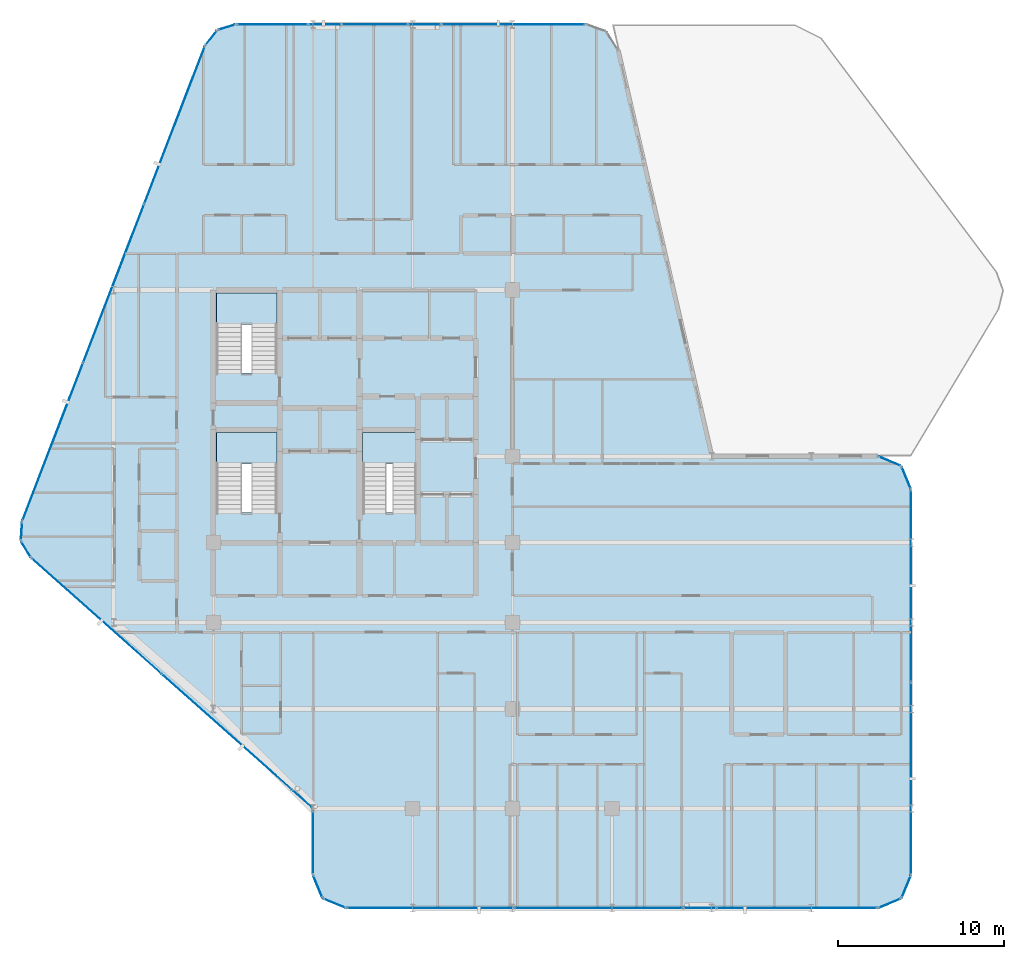
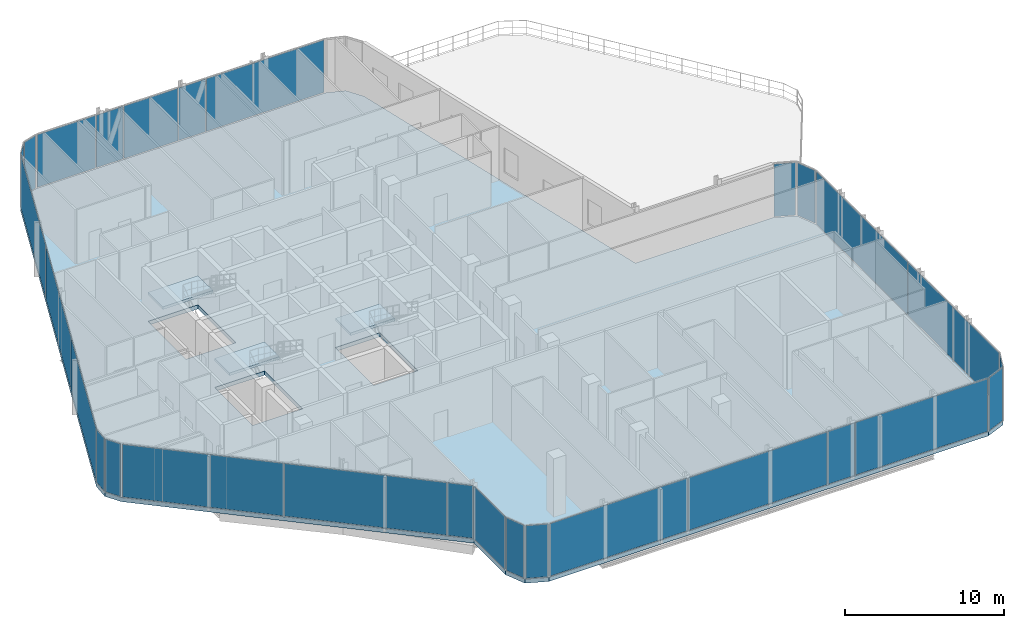
# One storey, part 19 of 28: 28 plates, 4 slabs, 26 elements without a shape of their own.
"""IFC4 building model written with IfcOpenShell, lengths in metres."""

from ifc_helpers import new_model, si_unit, direction, frame, origin, origin_2d, place, context, subcontext, project, spatial, polyline, rectangle, outline, extrude, material, layer, layer_set, type_object, element, aggregate, save


model = new_model("IFC4")

# Units and contexts
model_context = context("Model", 3, precision=1e-05, world=origin(), true_north=direction((0.0, 1.0)))
body_context = subcontext(model_context, "Body", "Model", "MODEL_VIEW")
ifc_project = project(units=[si_unit("LENGTHUNIT", "METRE"), si_unit("AREAUNIT", "SQUARE_METRE"), si_unit("VOLUMEUNIT", "CUBIC_METRE"), si_unit("PLANEANGLEUNIT", "RADIAN"), si_unit("MASSUNIT", "GRAM", prefix="KILO")], contexts=[model_context])

# Site, building, storey
site_placement = place(None, origin())
site = spatial("IfcSite", under=ifc_project, at=site_placement, CompositionType="ELEMENT")
building_placement = place(site_placement, origin())
building = spatial("IfcBuilding", under=site, at=building_placement, Name="Keshet Zoharim Tower", CompositionType="ELEMENT")
storey_placement = place(building_placement, frame((0.0, 0.0, 164.60009765625)))
storey = spatial("IfcBuildingStorey", under=building, at=storey_placement, Name="L40", CompositionType="ELEMENT", Elevation=164.60009765625)

# Curtain wall, plate
ifc_material_1 = material(Name="Aluminium 6063-T6", Category="aluminium")
ifc_layer_1 = layer(ifc_material_1, 0.139892578125)
ifc_layer_set_1 = layer_set([ifc_layer_1], Name="Aluminium 6063-T6")
curtain_wall_type = type_object("IfcCurtainWallType", Name="CW-SYS-05", PredefinedType="NOTDEFINED", material=ifc_layer_set_1)
curtain_wall_1_placement = place(storey_placement, origin())
curtain_wall_1 = element("IfcCurtainWall", 1, at=curtain_wall_1_placement, inside=storey, type_object=curtain_wall_type, Name="L40 Unitised Curtain Wall 01", PredefinedType="NOTDEFINED")
ifc_material_2 = material(Name="Insulated Low-E Clear Glass", Category="glass")
ifc_layer_2 = layer(ifc_material_2, 0.031982421875)
ifc_layer_set_2 = layer_set([ifc_layer_2], Name="Insulated Low-E Clear Glass")
plate_type_1 = type_object("IfcPlateType", Name="CWP-02", PredefinedType="CURTAIN_PANEL", material=ifc_layer_set_2)
plate_1_placement = place(storey_placement, frame((55.70703125, 27.60693359375, 0.06982421875), z_axis=(0.0, 0.0, 1.0), x_axis=(0.92380975372, -0.382851849847, 0.0)))
plate_1 = element("IfcPlate", 2, at=plate_1_placement, type_object=plate_type_1, Name="CW-05 panel 1.1", PredefinedType="CURTAIN_PANEL", context=body_context, shape_type="SweptSolid", body=[
    extrude(rectangle(XDim=1.390625, YDim=0.031982421875, at=origin_2d()), origin(), (0.0, 0.0, 1.0), 4.050048828125),
])
aggregate(curtain_wall_1, [plate_1])

curtain_wall_2_placement = place(storey_placement, origin())
curtain_wall_2 = element("IfcCurtainWall", 3, at=curtain_wall_2_placement, inside=storey, type_object=curtain_wall_type, Name="L40 Unitised Curtain Wall 02", PredefinedType="NOTDEFINED")
plate_2_placement = place(storey_placement, frame((56.70703125, 26.60693359375, 0.06982421875), z_axis=(0.0, 0.0, 1.0), x_axis=(0.382851849847, -0.92380975372, 0.0)))
plate_2 = element("IfcPlate", 4, at=plate_2_placement, type_object=plate_type_1, Name="CW-05 panel 1.1", PredefinedType="CURTAIN_PANEL", context=body_context, shape_type="SweptSolid", body=[
    extrude(rectangle(XDim=1.390625, YDim=0.031982421875, at=origin_2d()), origin(), (0.0, 0.0, 1.0), 4.050048828125),
])
aggregate(curtain_wall_2, [plate_2])

# Curtain wall, plates
curtain_wall_3_placement = place(storey_placement, origin())
curtain_wall_3 = element("IfcCurtainWall", 5, at=curtain_wall_3_placement, inside=storey, type_object=curtain_wall_type, Name="L40 Unitised Curtain Wall 03", PredefinedType="NOTDEFINED")
plate_3_placement = place(storey_placement, frame((57.0, 20.08251953125, 0.06982421875), z_axis=(0.0, 0.0, 1.0), x_axis=(0.0, -1.0, 0.0)))
plate_3 = element("IfcPlate", 6, at=plate_3_placement, type_object=plate_type_1, Name="CW-05 panel 1.1", PredefinedType="CURTAIN_PANEL", context=body_context, shape_type="SweptSolid", body=[
    extrude(rectangle(XDim=11.4951171875, YDim=0.031982421875, at=origin_2d()), origin(), (0.0, 0.0, 1.0), 4.050048828125),
])
plate_4_placement = place(storey_placement, frame((57.0, 8.517578125, 0.06982421875), z_axis=(0.0, 0.0, 1.0), x_axis=(0.0, -1.0, 0.0)))
plate_4 = element("IfcPlate", 7, at=plate_4_placement, type_object=plate_type_1, Name="CW-05 panel 2.1", PredefinedType="CURTAIN_PANEL", context=body_context, shape_type="SweptSolid", body=[
    extrude(rectangle(XDim=11.4951171875, YDim=0.031982421875, at=origin_2d()), origin(), (0.0, 0.0, 1.0), 4.050048828125),
])
aggregate(curtain_wall_3, [plate_3, plate_4])

# Curtain wall, plate
curtain_wall_4_placement = place(storey_placement, origin())
curtain_wall_4 = element("IfcCurtainWall", 8, at=curtain_wall_4_placement, inside=storey, type_object=curtain_wall_type, Name="L40 Unitised Curtain Wall 04", PredefinedType="NOTDEFINED")
plate_5_placement = place(storey_placement, frame((56.70703125, 1.992919921875, 0.06982421875), z_axis=(0.0, 0.0, 1.0), x_axis=(-0.382851849847, -0.92380975372, 0.0)))
plate_5 = element("IfcPlate", 9, at=plate_5_placement, type_object=plate_type_1, Name="CW-05 panel 1.1", PredefinedType="CURTAIN_PANEL", context=body_context, shape_type="SweptSolid", body=[
    extrude(rectangle(XDim=1.390625, YDim=0.031982421875, at=origin_2d()), origin(), (0.0, 0.0, 1.0), 4.050048828125),
])
aggregate(curtain_wall_4, [plate_5])

curtain_wall_5_placement = place(storey_placement, origin())
curtain_wall_5 = element("IfcCurtainWall", 10, at=curtain_wall_5_placement, inside=storey, type_object=curtain_wall_type, Name="L40 Unitised Curtain Wall 05", PredefinedType="NOTDEFINED")
plate_6_placement = place(storey_placement, frame((55.70703125, 0.992919921875, 0.06982421875), z_axis=(0.0, 0.0, 1.0), x_axis=(-0.92380975372, -0.382851849847, 0.0)))
plate_6 = element("IfcPlate", 11, at=plate_6_placement, type_object=plate_type_1, Name="CW-05 panel 1.1", PredefinedType="CURTAIN_PANEL", context=body_context, shape_type="SweptSolid", body=[
    extrude(rectangle(XDim=1.390625, YDim=0.031982421875, at=origin_2d()), origin(), (0.0, 0.0, 1.0), 4.050048828125),
])
aggregate(curtain_wall_5, [plate_6])

curtain_wall_6_placement = place(storey_placement, origin())
curtain_wall_6 = element("IfcCurtainWall", 12, at=curtain_wall_6_placement, inside=storey, type_object=curtain_wall_type, Name="L40 Unitised Curtain Wall 06", PredefinedType="NOTDEFINED")
plate_7_placement = place(storey_placement, frame((50.126220703125, 0.699951171875, 0.06982421875), z_axis=(0.0, 0.0, 1.0), x_axis=(-1.0, 0.0, 0.0)))
plate_7 = element("IfcPlate", 13, at=plate_7_placement, type_object=plate_type_1, Name="CW-05 panel 1.1", PredefinedType="CURTAIN_PANEL", context=body_context, shape_type="SweptSolid", body=[
    extrude(rectangle(XDim=9.607421875, YDim=0.031982421875, at=origin_2d()), origin(), (0.0, 0.0, 1.0), 4.050048828125),
])
aggregate(curtain_wall_6, [plate_7])

# Curtain wall, plates
curtain_wall_7_placement = place(storey_placement, origin())
curtain_wall_7 = element("IfcCurtainWall", 14, at=curtain_wall_7_placement, inside=storey, type_object=curtain_wall_type, Name="L40 Unitised Curtain Wall 06 Part 3", PredefinedType="NOTDEFINED")
plate_8_placement = place(storey_placement, frame((38.203125, 0.699951171875, 0.06982421875), z_axis=(0.0, 0.0, 1.0), x_axis=(-1.0, 0.0, 0.0)))
plate_8 = element("IfcPlate", 15, at=plate_8_placement, type_object=plate_type_1, Name="CW-05 panel 1.1", PredefinedType="CURTAIN_PANEL", context=body_context, shape_type="SweptSolid", body=[
    extrude(rectangle(XDim=10.0888671875, YDim=0.031982421875, at=origin_2d()), origin(), (0.0, 0.0, 1.0), 4.050048828125),
])
plate_9_placement = place(storey_placement, frame((28.079345703125, 0.699951171875, 0.06982421875), z_axis=(0.0, 0.0, 1.0), x_axis=(-1.0, 0.0, 0.0)))
plate_9 = element("IfcPlate", 16, at=plate_9_placement, type_object=plate_type_1, Name="CW-05 panel 2.1", PredefinedType="CURTAIN_PANEL", context=body_context, shape_type="SweptSolid", body=[
    extrude(rectangle(XDim=10.018798828125, YDim=0.031982421875, at=origin_2d()), origin(), (0.0, 0.0, 1.0), 4.050048828125),
])
aggregate(curtain_wall_7, [plate_8, plate_9])

# Curtain wall, plate
curtain_wall_8_placement = place(storey_placement, origin())
curtain_wall_8 = element("IfcCurtainWall", 17, at=curtain_wall_8_placement, inside=storey, type_object=curtain_wall_type, Name="L40 Unitised Curtain Wall 07", PredefinedType="NOTDEFINED")
plate_10_placement = place(storey_placement, frame((22.29296875, 0.992919921875, 0.06982421875), z_axis=(0.0, 0.0, 1.0), x_axis=(-0.92380975372, 0.382851849847, 0.0)))
plate_10 = element("IfcPlate", 18, at=plate_10_placement, type_object=plate_type_1, Name="CW-05 panel 1.1", PredefinedType="CURTAIN_PANEL", context=body_context, shape_type="SweptSolid", body=[
    extrude(rectangle(XDim=1.390625, YDim=0.031982421875, at=origin_2d()), origin(), (0.0, 0.0, 1.0), 4.050048828125),
])
aggregate(curtain_wall_8, [plate_10])

curtain_wall_9_placement = place(storey_placement, origin())
curtain_wall_9 = element("IfcCurtainWall", 19, at=curtain_wall_9_placement, inside=storey, type_object=curtain_wall_type, Name="L40 Unitised Curtain Wall 08", PredefinedType="NOTDEFINED")
plate_11_placement = place(storey_placement, frame((21.29296875, 1.992919921875, 0.06982421875), z_axis=(0.0, 0.0, 1.0), x_axis=(-0.382851849847, 0.92380975372, 0.0)))
plate_11 = element("IfcPlate", 20, at=plate_11_placement, type_object=plate_type_1, Name="CW-05 panel 1.1", PredefinedType="CURTAIN_PANEL", context=body_context, shape_type="SweptSolid", body=[
    extrude(rectangle(XDim=1.390625, YDim=0.031982421875, at=origin_2d()), origin(), (0.0, 0.0, 1.0), 4.050048828125),
])
aggregate(curtain_wall_9, [plate_11])

curtain_wall_10_placement = place(storey_placement, origin())
curtain_wall_10 = element("IfcCurtainWall", 21, at=curtain_wall_10_placement, inside=storey, type_object=curtain_wall_type, Name="L40 Unitised Curtain Wall 09", PredefinedType="NOTDEFINED")
plate_12_placement = place(storey_placement, frame((21.0, 4.699951171875, 0.06982421875), z_axis=(0.0, 0.0, 1.0), x_axis=(0.0, 1.0, 0.0)))
plate_12 = element("IfcPlate", 22, at=plate_12_placement, type_object=plate_type_1, Name="CW-05 panel 1.1", PredefinedType="CURTAIN_PANEL", context=body_context, shape_type="SweptSolid", body=[
    extrude(rectangle(XDim=3.860107421875, YDim=0.031982421875, at=origin_2d()), origin(), (0.0, 0.0, 1.0), 4.050048828125),
])
aggregate(curtain_wall_10, [plate_12])

# Curtain wall, plates
curtain_wall_11_placement = place(storey_placement, origin())
curtain_wall_11 = element("IfcCurtainWall", 23, at=curtain_wall_11_placement, inside=storey, type_object=curtain_wall_type, Name="L40 Unitised Curtain Wall 10 Part 2", PredefinedType="NOTDEFINED")
plate_13_placement = place(storey_placement, frame((15.79052734375, 11.33056640625, 0.06982421875), z_axis=(0.0, 0.0, 1.0), x_axis=(-0.747408791925, 0.664364431432, 0.0)))
plate_13 = element("IfcPlate", 24, at=plate_13_placement, type_object=plate_type_1, Name="CW-05 panel 1.1", PredefinedType="CURTAIN_PANEL", context=body_context, shape_type="SweptSolid", body=[
    extrude(rectangle(XDim=10.43896484375, YDim=0.031982421875, at=origin_2d()), origin(), (0.0, 0.0, 1.0), 4.050048828125),
])
plate_14_placement = place(storey_placement, frame((7.962158203125, 18.2890625, 0.06982421875), z_axis=(0.0, 0.0, 1.0), x_axis=(-0.747408791925, 0.664364431432, 0.0)))
plate_14 = element("IfcPlate", 25, at=plate_14_placement, type_object=plate_type_1, Name="CW-05 panel 2.1", PredefinedType="CURTAIN_PANEL", context=body_context, shape_type="SweptSolid", body=[
    extrude(rectangle(XDim=10.368896484375, YDim=0.031982421875, at=origin_2d()), origin(), (0.0, 0.0, 1.0), 4.050048828125),
])
aggregate(curtain_wall_11, [plate_13, plate_14])

# Curtain wall, plate
curtain_wall_12_placement = place(storey_placement, origin())
curtain_wall_12 = element("IfcCurtainWall", 26, at=curtain_wall_12_placement, inside=storey, type_object=curtain_wall_type, Name="L40 Unitised Curtain Wall 11", PredefinedType="NOTDEFINED")
plate_15_placement = place(storey_placement, frame((3.7275390625, 22.291015625, 0.06982421875), z_axis=(0.0, 0.0, 1.0), x_axis=(-0.515604947933, 0.856826433805, 0.0)))
plate_15 = element("IfcPlate", 27, at=plate_15_placement, type_object=plate_type_1, Name="CW-05 panel 1.1", PredefinedType="CURTAIN_PANEL", context=body_context, shape_type="SweptSolid", body=[
    extrude(rectangle(XDim=1.052734375, YDim=0.031982421875, at=origin_2d()), origin(), (0.0, 0.0, 1.0), 4.050048828125),
])
aggregate(curtain_wall_12, [plate_15])

curtain_wall_13_placement = place(storey_placement, origin())
curtain_wall_13 = element("IfcCurtainWall", 28, at=curtain_wall_13_placement, inside=storey, type_object=curtain_wall_type, Name="L40 Unitised Curtain Wall 12", PredefinedType="NOTDEFINED")
plate_16_placement = place(storey_placement, frame((3.45849609375, 23.3974609375, 0.06982421875), z_axis=(0.0, 0.0, 1.0), x_axis=(0.064516859374, 0.997916617186, 0.0)))
plate_16 = element("IfcPlate", 29, at=plate_16_placement, type_object=plate_type_1, Name="CW-05 panel 1.1", PredefinedType="CURTAIN_PANEL", context=body_context, shape_type="SweptSolid", body=[
    extrude(rectangle(XDim=1.053466796875, YDim=0.031982421875, at=origin_2d()), origin(), (0.0, 0.0, 1.0), 4.050048828125),
])
aggregate(curtain_wall_13, [plate_16])

# Curtain wall, plates
curtain_wall_14_placement = place(storey_placement, origin())
curtain_wall_14 = element("IfcCurtainWall", 30, at=curtain_wall_14_placement, inside=storey, type_object=curtain_wall_type, Name="L40 Unitised Curtain Wall 13", PredefinedType="NOTDEFINED")
plate_17_placement = place(storey_placement, frame((5.33837890625, 28.7802734375, 0.06982421875), z_axis=(0.0, 0.0, 1.0), x_axis=(0.358990003907, 0.933341404361, 0.0)))
plate_17 = element("IfcPlate", 31, at=plate_17_placement, type_object=plate_type_1, Name="CW-05 panel 1.1", PredefinedType="CURTAIN_PANEL", context=body_context, shape_type="SweptSolid", body=[
    extrude(rectangle(XDim=10.1181640625, YDim=0.031982421875, at=origin_2d()), origin(), (0.0, 0.0, 1.0), 4.050048828125),
])
plate_18_placement = place(storey_placement, frame((9.001953125, 38.305419921875, 0.06982421875), z_axis=(0.0, 0.0, 1.0), x_axis=(0.358990003907, 0.933341404361, 0.0)))
plate_18 = element("IfcPlate", 32, at=plate_18_placement, type_object=plate_type_1, Name="CW-05 panel 2.1", PredefinedType="CURTAIN_PANEL", context=body_context, shape_type="SweptSolid", body=[
    extrude(rectangle(XDim=10.153076171875, YDim=0.031982421875, at=origin_2d()), origin(), (0.0, 0.0, 1.0), 4.050048828125),
])
plate_19_placement = place(storey_placement, frame((12.665771484375, 47.830810546875, 0.06982421875), z_axis=(0.0, 0.0, 1.0), x_axis=(0.358990003907, 0.933341404361, 0.0)))
plate_19 = element("IfcPlate", 33, at=plate_19_placement, type_object=plate_type_1, Name="CW-05 panel 3.1", PredefinedType="CURTAIN_PANEL", context=body_context, shape_type="SweptSolid", body=[
    extrude(rectangle(XDim=10.1181640625, YDim=0.031982421875, at=origin_2d()), origin(), (0.0, 0.0, 1.0), 4.050048828125),
])
aggregate(curtain_wall_14, [plate_17, plate_18, plate_19])

# Curtain wall, plate
curtain_wall_15_placement = place(storey_placement, origin())
curtain_wall_15 = element("IfcCurtainWall", 34, at=curtain_wall_15_placement, inside=storey, type_object=curtain_wall_type, Name="L40 Unitised Curtain Wall 14", PredefinedType="NOTDEFINED")
plate_20_placement = place(storey_placement, frame((14.8740234375, 53.08349609375, 0.06982421875), z_axis=(0.0, 0.0, 1.0), x_axis=(0.619124525989, 0.785292825205, 0.0)))
plate_20 = element("IfcPlate", 35, at=plate_20_placement, type_object=plate_type_1, Name="CW-05 panel 1.1", PredefinedType="CURTAIN_PANEL", context=body_context, shape_type="SweptSolid", body=[
    extrude(rectangle(XDim=1.045654296875, YDim=0.031982421875, at=origin_2d()), origin(), (0.0, 0.0, 1.0), 4.050048828125),
])
aggregate(curtain_wall_15, [plate_20])

curtain_wall_16_placement = place(storey_placement, origin())
curtain_wall_16 = element("IfcCurtainWall", 36, at=curtain_wall_16_placement, inside=storey, type_object=curtain_wall_type, Name="L40 Unitised Curtain Wall 15", PredefinedType="NOTDEFINED")
plate_21_placement = place(storey_placement, frame((15.8076171875, 53.724609375, 0.06982421875), z_axis=(0.0, 0.0, 1.0), x_axis=(0.955212151288, 0.295921857984, 0.0)))
plate_21 = element("IfcPlate", 37, at=plate_21_placement, type_object=plate_type_1, Name="CW-05 panel 1.1", PredefinedType="CURTAIN_PANEL", context=body_context, shape_type="SweptSolid", body=[
    extrude(rectangle(XDim=1.046142578125, YDim=0.031982421875, at=origin_2d()), origin(), (0.0, 0.0, 1.0), 4.050048828125),
])
aggregate(curtain_wall_16, [plate_21])

curtain_wall_17_placement = place(storey_placement, origin())
curtain_wall_17 = element("IfcCurtainWall", 38, at=curtain_wall_17_placement, inside=storey, type_object=curtain_wall_type, Name="L40 Unitised Curtain Wall 16", PredefinedType="NOTDEFINED")
plate_22_placement = place(storey_placement, frame((18.560791015625, 53.89990234375, 0.06982421875), z_axis=(0.0, 0.0, 1.0), x_axis=(1.0, 0.0, 0.0)))
plate_22 = element("IfcPlate", 39, at=plate_22_placement, type_object=plate_type_1, Name="CW-05 panel 1.1", PredefinedType="CURTAIN_PANEL", context=body_context, shape_type="SweptSolid", body=[
    extrude(rectangle(XDim=4.2333984375, YDim=0.031982421875, at=origin_2d()), origin(), (0.0, 0.0, 1.0), 4.050048828125),
])
aggregate(curtain_wall_17, [plate_22])

curtain_wall_18_placement = place(storey_placement, origin())
curtain_wall_18 = element("IfcCurtainWall", 40, at=curtain_wall_18_placement, inside=storey, type_object=curtain_wall_type, Name="L40 Unitised Curtain Wall 16 Part 3", PredefinedType="NOTDEFINED")
plate_23_placement = place(storey_placement, frame((24.715087890625, 53.89990234375, 0.06982421875), z_axis=(0.0, 0.0, 1.0), x_axis=(1.0, 0.0, 0.0)))
plate_23 = element("IfcPlate", 41, at=plate_23_placement, type_object=plate_type_1, Name="CW-05 panel 1.1", PredefinedType="CURTAIN_PANEL", context=body_context, shape_type="SweptSolid", body=[
    extrude(rectangle(XDim=3.925048828125, YDim=0.031982421875, at=origin_2d()), origin(), (0.0, 0.0, 1.0), 4.050048828125),
])
aggregate(curtain_wall_18, [plate_23])

curtain_wall_19_placement = place(storey_placement, origin())
curtain_wall_19 = element("IfcCurtainWall", 42, at=curtain_wall_19_placement, inside=storey, type_object=curtain_wall_type, Name="L40 Unitised Curtain Wall 16 Part 5", PredefinedType="NOTDEFINED")
plate_24_placement = place(storey_placement, frame((33.045654296875, 53.89990234375, 0.06982421875), z_axis=(0.0, 0.0, 1.0), x_axis=(1.0, 0.0, 0.0)))
plate_24 = element("IfcPlate", 43, at=plate_24_placement, type_object=plate_type_1, Name="CW-05 panel 1.1", PredefinedType="CURTAIN_PANEL", context=body_context, shape_type="SweptSolid", body=[
    extrude(rectangle(XDim=8.58642578125, YDim=0.031982421875, at=origin_2d()), origin(), (0.0, 0.0, 1.0), 4.050048828125),
])
aggregate(curtain_wall_19, [plate_24])

curtain_wall_20_placement = place(storey_placement, origin())
curtain_wall_20 = element("IfcCurtainWall", 44, at=curtain_wall_20_placement, inside=storey, type_object=curtain_wall_type, Name="L40 Unitised Curtain Wall 06 Part 2", PredefinedType="NOTDEFINED")
ifc_material_3 = material(Name="Insulated Aluminium Spandrel Panel", Category="aluminium")
ifc_layer_3 = layer(ifc_material_3, 0.031982421875)
ifc_layer_set_3 = layer_set([ifc_layer_3], Name="Insulated Aluminium Spandrel Panel")
plate_type_2 = type_object("IfcPlateType", Name="CWP-05", PredefinedType="CURTAIN_PANEL", material=ifc_layer_set_3)
plate_25_placement = place(storey_placement, frame((44.284912109375, 0.699951171875, 0.06982421875), z_axis=(0.0, 0.0, 1.0), x_axis=(-1.0, 0.0, 0.0)))
plate_25 = element("IfcPlate", 45, at=plate_25_placement, type_object=plate_type_2, Name="CW-05 spandrel panel 1.1", PredefinedType="CURTAIN_PANEL", context=body_context, shape_type="SweptSolid", body=[
    extrude(rectangle(XDim=1.93505859375, YDim=0.031982421875, at=origin_2d()), origin(), (0.0, 0.0, 1.0), 4.050048828125),
])
aggregate(curtain_wall_20, [plate_25])

curtain_wall_21_placement = place(storey_placement, origin())
curtain_wall_21 = element("IfcCurtainWall", 46, at=curtain_wall_21_placement, inside=storey, type_object=curtain_wall_type, Name="L40 Unitised Curtain Wall 10", PredefinedType="NOTDEFINED")
plate_26_placement = place(storey_placement, frame((20.345703125, 7.281494140625, 0.06982421875), z_axis=(0.0, 0.0, 1.0), x_axis=(-0.747415622032, 0.664356747495, 0.0)))
plate_26 = element("IfcPlate", 47, at=plate_26_placement, type_object=plate_type_2, Name="CW-05 spandrel panel 1.1", PredefinedType="CURTAIN_PANEL", context=body_context, shape_type="SweptSolid", body=[
    extrude(rectangle(XDim=1.610595703125, YDim=0.031982421875, at=origin_2d()), origin(), (0.0, 0.0, 1.0), 4.050048828125),
])
aggregate(curtain_wall_21, [plate_26])

curtain_wall_22_placement = place(storey_placement, origin())
curtain_wall_22 = element("IfcCurtainWall", 48, at=curtain_wall_22_placement, inside=storey, type_object=curtain_wall_type, Name="L40 Unitised Curtain Wall 16 Part 2", PredefinedType="NOTDEFINED")
plate_27_placement = place(storey_placement, frame((21.715087890625, 53.89990234375, 0.06982421875), z_axis=(0.0, 0.0, 1.0), x_axis=(1.0, 0.0, 0.0)))
plate_27 = element("IfcPlate", 49, at=plate_27_placement, type_object=plate_type_2, Name="CW-05 spandrel panel 1.1", PredefinedType="CURTAIN_PANEL", context=body_context, shape_type="SweptSolid", body=[
    extrude(rectangle(XDim=1.93505859375, YDim=0.031982421875, at=origin_2d()), origin(), (0.0, 0.0, 1.0), 4.050048828125),
])
aggregate(curtain_wall_22, [plate_27])

curtain_wall_23_placement = place(storey_placement, origin())
curtain_wall_23 = element("IfcCurtainWall", 50, at=curtain_wall_23_placement, inside=storey, type_object=curtain_wall_type, Name="L40 Unitised Curtain Wall 16 Part 4", PredefinedType="NOTDEFINED")
plate_28_placement = place(storey_placement, frame((27.715087890625, 53.89990234375, 0.06982421875), z_axis=(0.0, 0.0, 1.0), x_axis=(1.0, 0.0, 0.0)))
plate_28 = element("IfcPlate", 51, at=plate_28_placement, type_object=plate_type_2, Name="CW-05 spandrel panel 1.1", PredefinedType="CURTAIN_PANEL", context=body_context, shape_type="SweptSolid", body=[
    extrude(rectangle(XDim=1.93505859375, YDim=0.031982421875, at=origin_2d()), origin(), (0.0, 0.0, 1.0), 4.050048828125),
])
aggregate(curtain_wall_23, [plate_28])

# Stair, slab
ifc_material_4 = material(Name="Concrete C50/60", Category="concrete")
stair_type = type_object("IfcStairType", Name="STR-EXIT-135", PredefinedType="HALF_TURN_STAIR", material=ifc_material_4)
stair_1_placement = place(storey_placement, origin())
stair_1 = element("IfcStair", 52, at=stair_1_placement, inside=storey, type_object=stair_type, Name="L40 Enclosed Exit Stair ST-01", PredefinedType="HALF_TURN_STAIR")
ifc_layer_4 = layer(ifc_material_4, 0.199951171875)
ifc_layer_set_4 = layer_set([ifc_layer_4], Name="Concrete C50/60")
slab_type_1 = type_object("IfcSlabType", Name="SLB-LND-200", PredefinedType="LANDING", material=ifc_layer_set_4)
slab_1_placement = place(storey_placement, frame((0.0, 0.0, 2.0498046875)))
slab_1 = element("IfcSlab", 53, at=slab_1_placement, type_object=slab_type_1, Name="ST-01 landing 1", PredefinedType="LANDING", context=body_context, shape_type="SweptSolid", body=[
    extrude(outline(polyline([(15.179931640625, 27.43994140625), (18.820068359375, 27.43994140625), (18.820068359375, 29.320068359375), (15.179931640625, 29.320068359375), (15.179931640625, 27.43994140625)])), origin(), (0.0, 0.0, 1.0), 0.2001953125),
])
aggregate(stair_1, [slab_1])

stair_2_placement = place(storey_placement, origin())
stair_2 = element("IfcStair", 54, at=stair_2_placement, inside=storey, type_object=stair_type, Name="L40 Enclosed Exit Stair ST-02", PredefinedType="HALF_TURN_STAIR")
slab_2_placement = place(storey_placement, frame((0.0, 0.0, 2.0498046875)))
slab_2 = element("IfcSlab", 55, at=slab_2_placement, type_object=slab_type_1, Name="ST-02 landing 1", PredefinedType="LANDING", context=body_context, shape_type="SweptSolid", body=[
    extrude(outline(polyline([(15.179931640625, 35.840087890625), (18.820068359375, 35.840087890625), (18.820068359375, 37.719970703125), (15.179931640625, 37.719970703125), (15.179931640625, 35.840087890625)])), origin(), (0.0, 0.0, 1.0), 0.2001953125),
])
aggregate(stair_2, [slab_2])

stair_3_placement = place(storey_placement, origin())
stair_3 = element("IfcStair", 56, at=stair_3_placement, inside=storey, type_object=stair_type, Name="L40 Enclosed Exit Stair ST-03", PredefinedType="HALF_TURN_STAIR")
slab_3_placement = place(storey_placement, frame((0.0, 0.0, 2.0498046875)))
slab_3 = element("IfcSlab", 57, at=slab_3_placement, type_object=slab_type_1, Name="ST-03 landing 1", PredefinedType="LANDING", context=body_context, shape_type="SweptSolid", body=[
    extrude(outline(polyline([(23.97998046875, 27.43994140625), (27.219970703125, 27.43994140625), (27.219970703125, 29.320068359375), (23.97998046875, 29.320068359375), (23.97998046875, 27.43994140625)])), origin(), (0.0, 0.0, 1.0), 0.2001953125),
])
aggregate(stair_3, [slab_3])

# Slab
ifc_layer_5 = layer(ifc_material_4, 0.31005859375)
ifc_layer_set_5 = layer_set([ifc_layer_5], Name="Concrete C50/60")
slab_type_2 = type_object("IfcSlabType", Name="SLB-UPP-240", PredefinedType="FLOOR", material=ifc_layer_set_5)
slab_4_placement = place(storey_placement, frame((0.0, 0.0, -0.31005859375)))
element("IfcSlab", 58, at=slab_4_placement, inside=storey, type_object=slab_type_2, Name="L40 Structural Floor Slab 1", PredefinedType="FLOOR", context=body_context, shape_type="SweptSolid", body=[
    extrude(outline(polyline([(55.0, 27.89990234375), (56.4140625, 27.31396484375), (57.0, 25.89990234375), (57.0, 2.699951171875), (56.4140625, 1.285888671875), (55.0, 0.699951171875), (23.0, 0.699951171875), (21.5859375, 1.285888671875), (21.0, 2.699951171875), (21.0, 6.699951171875), (4.034912109375, 21.780029296875), (3.419921875, 22.802001953125), (3.4970703125, 23.992919921875), (14.507080078125, 52.617919921875), (15.240966796875, 53.549072265625), (16.3740234375, 53.89990234375), (37.408935546875, 53.89990234375), (38.654052734375, 53.465087890625), (39.35791015625, 52.35009765625), (45.0, 27.89990234375), (55.0, 27.89990234375)]), holes=[polyline([(15.179931640625, 24.52001953125), (18.820068359375, 24.52001953125), (18.820068359375, 29.320068359375), (15.179931640625, 29.320068359375), (15.179931640625, 24.52001953125)]), polyline([(15.179931640625, 32.919921875), (18.820068359375, 32.919921875), (18.820068359375, 37.719970703125), (15.179931640625, 37.719970703125), (15.179931640625, 32.919921875)]), polyline([(23.97998046875, 24.52001953125), (27.219970703125, 24.52001953125), (27.219970703125, 29.320068359375), (23.97998046875, 29.320068359375), (23.97998046875, 24.52001953125)])]), origin(), (0.0, 0.0, 1.0), 0.31005859375),
])

save(model, "model.ifc")
